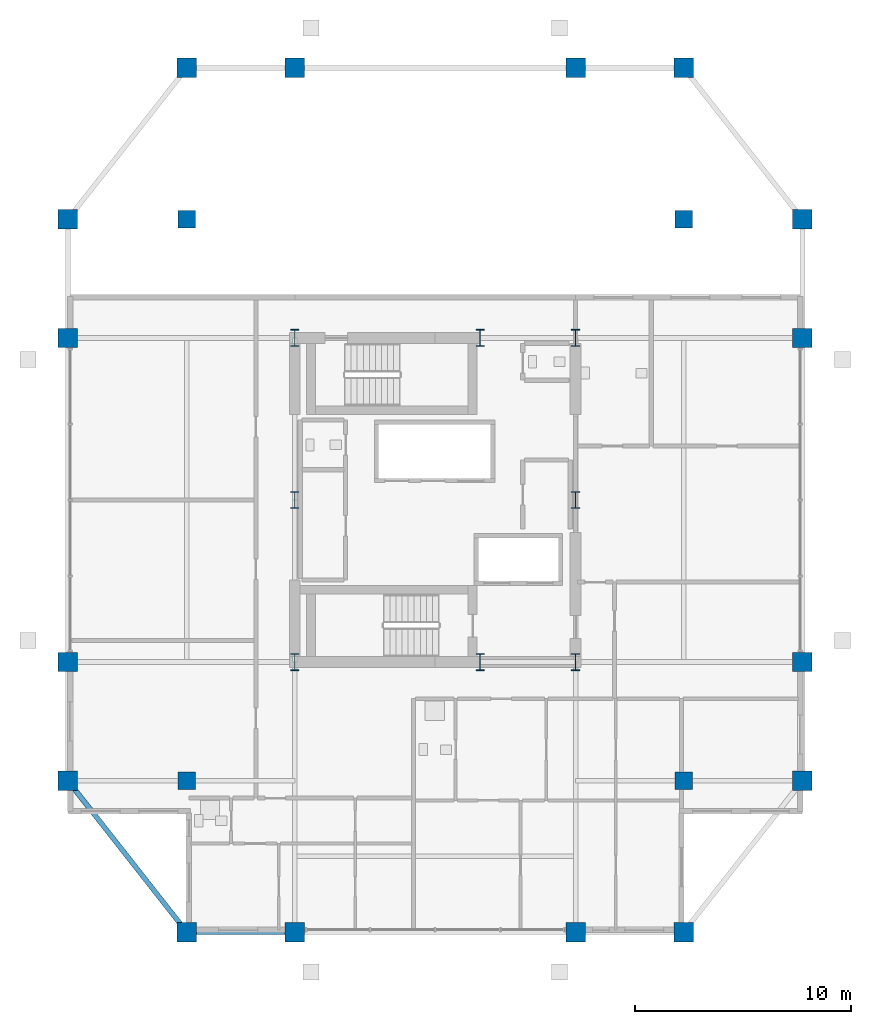
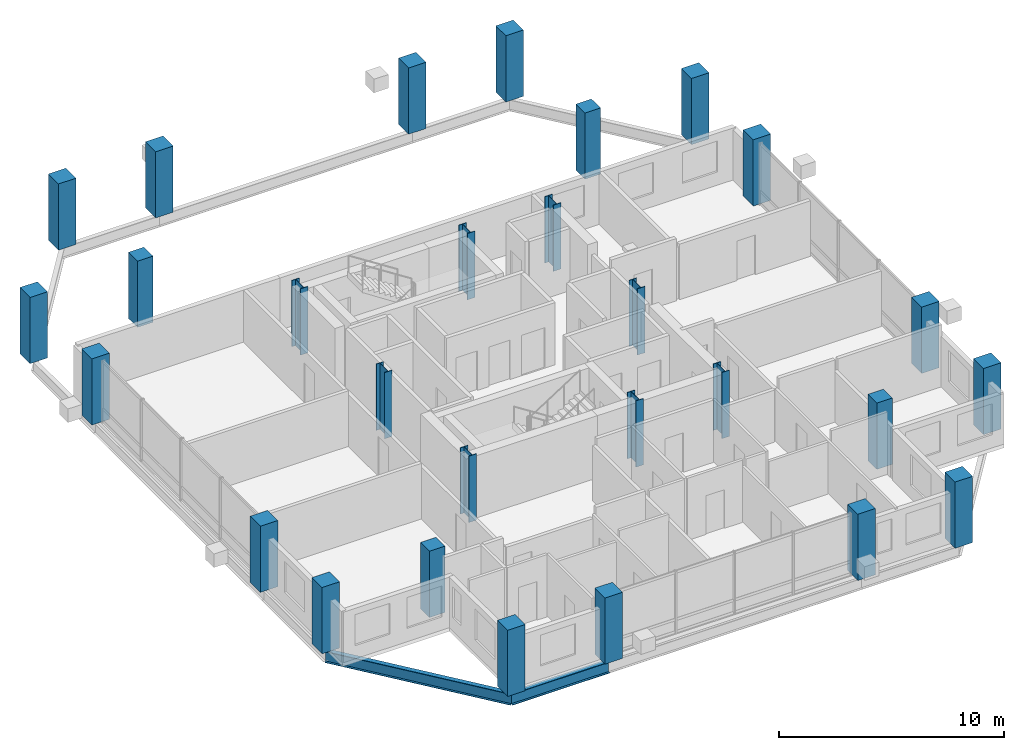
# One storey, part 1 of 16: 28 columns, 2 beams.
"""IFC4 building model written with IfcOpenShell, lengths in metres."""

from ifc_helpers import new_model, si_unit, direction, frame, origin, origin_2d, place, context, subcontext, project, spatial, rectangle, i_section, extrude, material, material_profile, profile_set, type_object, element, save


model = new_model("IFC4")

# Units and contexts
model_context = context("Model", 3, precision=1e-05, world=origin(), true_north=direction((0.0, 1.0)))
body_context = subcontext(model_context, "Body", "Model", "MODEL_VIEW")
ifc_project = project(units=[si_unit("LENGTHUNIT", "METRE"), si_unit("AREAUNIT", "SQUARE_METRE"), si_unit("VOLUMEUNIT", "CUBIC_METRE"), si_unit("PLANEANGLEUNIT", "RADIAN"), si_unit("MASSUNIT", "GRAM", prefix="KILO")], contexts=[model_context])

# Site, building, storey
site_placement = place(None, origin())
site = spatial("IfcSite", under=ifc_project, at=site_placement, CompositionType="ELEMENT")
building_placement = place(site_placement, origin())
building = spatial("IfcBuilding", under=site, at=building_placement, Name="Barlavira Tower and Art Museum", CompositionType="ELEMENT")
storey_placement = place(building_placement, frame((0.0, 0.0, 265.5)))
storey = spatial("IfcBuildingStorey", under=building, at=storey_placement, Name="L69", CompositionType="ELEMENT", Elevation=265.5)

# Columns
ifc_material_1 = material(Name="Steel S355", Category="steel")
ifc_material_profile_1 = material_profile(ifc_material_1, i_section(OverallWidth=0.382080078125, OverallDepth=0.785888671875, WebThickness=0.02001953125, FlangeThickness=0.032958984375, at=origin_2d()), Name="W760x314.0")
ifc_profile_set_1 = profile_set([ifc_material_profile_1], Name="Steel S355")
column_type_1 = type_object("IfcColumnType", Name="Core Composite Column W760x314 Steel S355", PredefinedType="COLUMN", material=ifc_profile_set_1)
for number, where, z_axis, x_axis, name in (
    (1, (-6.5, -7.5, 0.0), (0.0, 0.0, 1.0), (1.0, 0.0, 0.0), "L69 Column CC-L69-C1"),
    (2, (2.080078125, -7.5, 0.0), (0.0, 0.0, 1.0), (1.0, 0.0, 0.0), "L69 Column CC-L69-C2"),
    (3, (6.5, -7.5, 0.0), (0.0, 0.0, 1.0), (1.0, 0.0, 0.0), "L69 Column CC-L69-C3"),
    (4, (-6.5, 0.0, 0.0), (0.0, 0.0, 1.0), (1.0, 0.0, 0.0), "L69 Column CC-L69-C4"),
    (5, (6.5, 0.0, 0.0), (0.0, 0.0, 1.0), (1.0, 0.0, 0.0), "L69 Column CC-L69-C5"),
    (6, (-6.5, 7.5, 0.0), (0.0, 0.0, 1.0), (1.0, 0.0, 0.0), "L69 Column CC-L69-C6"),
    (7, (2.080078125, 7.5, 0.0), (0.0, 0.0, 1.0), (1.0, 0.0, 0.0), "L69 Column CC-L69-C7"),
    (8, (6.5, 7.5, 0.0), (0.0, 0.0, 1.0), (1.0, 0.0, 0.0), "L69 Column CC-L69-C8"),
):
    element("IfcColumn", number, at=place(storey_placement, frame(where, z_axis=z_axis, x_axis=x_axis)), inside=storey, type_object=column_type_1, Name=name, PredefinedType="COLUMN", context=body_context, shape_type="SweptSolid", body=[
        extrude(i_section(OverallWidth=0.382080078125, OverallDepth=0.785888671875, WebThickness=0.02001953125, FlangeThickness=0.032958984375, at=origin_2d()), origin(), (0.0, 0.0, 1.0), 3.60009765625),
    ])
ifc_material_2 = material(Name="Concrete C50", Category="concrete")
ifc_material_profile_2 = material_profile(ifc_material_2, rectangle(XDim=0.89990234375, YDim=0.89990234375, at=origin_2d()), Name="RC-COL 900x900")
ifc_profile_set_2 = profile_set([ifc_material_profile_2], Name="Concrete C50")
column_type_2 = type_object("IfcColumnType", Name="Perimeter Mega Column 900x900 Concrete C50", PredefinedType="USERDEFINED", material=ifc_profile_set_2)
for number, where, z_axis, x_axis, name in (
    (9, (-11.5, -20.0, 0.0), (0.0, 0.0, 1.0), (1.0, 0.0, 0.0), "L69 Column MC-L69-M01"),
    (10, (-6.5, -20.0, 0.0), (0.0, 0.0, 1.0), (1.0, 0.0, 0.0), "L69 Column MC-L69-M02"),
    (11, (6.5, -20.0, 0.0), (0.0, 0.0, 1.0), (1.0, 0.0, 0.0), "L69 Column MC-L69-M03"),
    (12, (11.5, -20.0, 0.0), (0.0, 0.0, 1.0), (1.0, 0.0, 0.0), "L69 Column MC-L69-M04"),
    (13, (17.0, -13.0, 0.0), (0.0, 0.0, 1.0), (1.0, 0.0, 0.0), "L69 Column MC-L69-M05"),
    (14, (17.0, -7.5, 0.0), (0.0, 0.0, 1.0), (1.0, 0.0, 0.0), "L69 Column MC-L69-M06"),
    (15, (17.0, 7.5, 0.0), (0.0, 0.0, 1.0), (1.0, 0.0, 0.0), "L69 Column MC-L69-M07"),
    (16, (17.0, 13.0, 0.0), (0.0, 0.0, 1.0), (1.0, 0.0, 0.0), "L69 Column MC-L69-M08"),
    (17, (11.5, 20.0, 0.0), (0.0, 0.0, 1.0), (1.0, 0.0, 0.0), "L69 Column MC-L69-M09"),
    (18, (6.5, 20.0, 0.0), (0.0, 0.0, 1.0), (1.0, 0.0, 0.0), "L69 Column MC-L69-M10"),
    (19, (-6.5, 20.0, 0.0), (0.0, 0.0, 1.0), (1.0, 0.0, 0.0), "L69 Column MC-L69-M11"),
    (20, (-11.5, 20.0, 0.0), (0.0, 0.0, 1.0), (1.0, 0.0, 0.0), "L69 Column MC-L69-M12"),
    (21, (-17.0, 13.0, 0.0), (0.0, 0.0, 1.0), (1.0, 0.0, 0.0), "L69 Column MC-L69-M13"),
    (22, (-17.0, 7.5, 0.0), (0.0, 0.0, 1.0), (1.0, 0.0, 0.0), "L69 Column MC-L69-M14"),
    (23, (-17.0, -7.5, 0.0), (0.0, 0.0, 1.0), (1.0, 0.0, 0.0), "L69 Column MC-L69-M15"),
    (24, (-17.0, -13.0, 0.0), (0.0, 0.0, 1.0), (1.0, 0.0, 0.0), "L69 Column MC-L69-M16"),
):
    element("IfcColumn", number, at=place(storey_placement, frame(where, z_axis=z_axis, x_axis=x_axis)), inside=storey, type_object=column_type_2, Name=name, ObjectType="MEGA COLUMN", PredefinedType="USERDEFINED", context=body_context, shape_type="SweptSolid", body=[
        extrude(rectangle(XDim=0.89990234375, YDim=0.89990234375, at=origin_2d()), origin(), (0.0, 0.0, 1.0), 3.60009765625),
    ])
ifc_material_profile_3 = material_profile(ifc_material_2, rectangle(XDim=0.800048828125, YDim=0.800048828125, at=origin_2d()), Name="RC-COL 800x800")
ifc_profile_set_3 = profile_set([ifc_material_profile_3], Name="Concrete C50")
column_type_3 = type_object("IfcColumnType", Name="Podium Frame Column 800x800 Concrete C50", PredefinedType="COLUMN", material=ifc_profile_set_3)
for number, where, z_axis, x_axis, name in (
    (25, (-11.5, -13.0, 0.0), (0.0, 0.0, 1.0), (1.0, 0.0, 0.0), "L69 Column CI-L69-I1"),
    (26, (11.5, -13.0, 0.0), (0.0, 0.0, 1.0), (1.0, 0.0, 0.0), "L69 Column CI-L69-I2"),
    (27, (-11.5, 13.0, 0.0), (0.0, 0.0, 1.0), (1.0, 0.0, 0.0), "L69 Column CI-L69-I3"),
    (28, (11.5, 13.0, 0.0), (0.0, 0.0, 1.0), (1.0, 0.0, 0.0), "L69 Column CI-L69-I4"),
):
    element("IfcColumn", number, at=place(storey_placement, frame(where, z_axis=z_axis, x_axis=x_axis)), inside=storey, type_object=column_type_3, Name=name, PredefinedType="COLUMN", context=body_context, shape_type="SweptSolid", body=[
        extrude(rectangle(XDim=0.800048828125, YDim=0.800048828125, at=origin_2d()), origin(), (0.0, 0.0, 1.0), 3.60009765625),
    ])

# Beams
ifc_material_profile_4 = material_profile(ifc_material_1, i_section(OverallWidth=0.22998046875, OverallDepth=0.616943359375, WebThickness=0.01318359375, FlangeThickness=0.022216796875, at=origin_2d()), Name="W610x140.0")
ifc_profile_set_4 = profile_set([ifc_material_profile_4], Name="Steel S355")
beam_type = type_object("IfcBeamType", Name="Upper Shaft Spandrel Edge Beam W610x140 Steel S355", PredefinedType="SPANDREL", material=ifc_profile_set_4)
beam_1_placement = place(storey_placement, frame((-11.5, -20.0, -0.528564453125), z_axis=(1.0, 0.0, 0.0), x_axis=(0.0, 1.0, 0.0)))
element("IfcBeam", 29, at=beam_1_placement, inside=storey, type_object=beam_type, Name="L69 Spandrel 1", PredefinedType="SPANDREL", context=body_context, shape_type="SweptSolid", body=[
    extrude(i_section(OverallWidth=0.22998046875, OverallDepth=0.616943359375, WebThickness=0.01318359375, FlangeThickness=0.022216796875, at=origin_2d()), origin(), (0.0, 0.0, 1.0), 5.0),
])
beam_2_placement = place(storey_placement, frame((-17.0, -13.0, -0.528564453125), z_axis=(0.617821551932, -0.786318338822, 0.0), x_axis=(0.786318338822, 0.617821551932, 0.0)))
element("IfcBeam", 30, at=beam_2_placement, inside=storey, type_object=beam_type, Name="L69 Spandrel 16", PredefinedType="SPANDREL", context=body_context, shape_type="SweptSolid", body=[
    extrude(i_section(OverallWidth=0.22998046875, OverallDepth=0.616943359375, WebThickness=0.01318359375, FlangeThickness=0.022216796875, at=origin_2d()), origin(), (0.0, 0.0, 1.0), 8.90234375),
])

save(model, "model.ifc")
